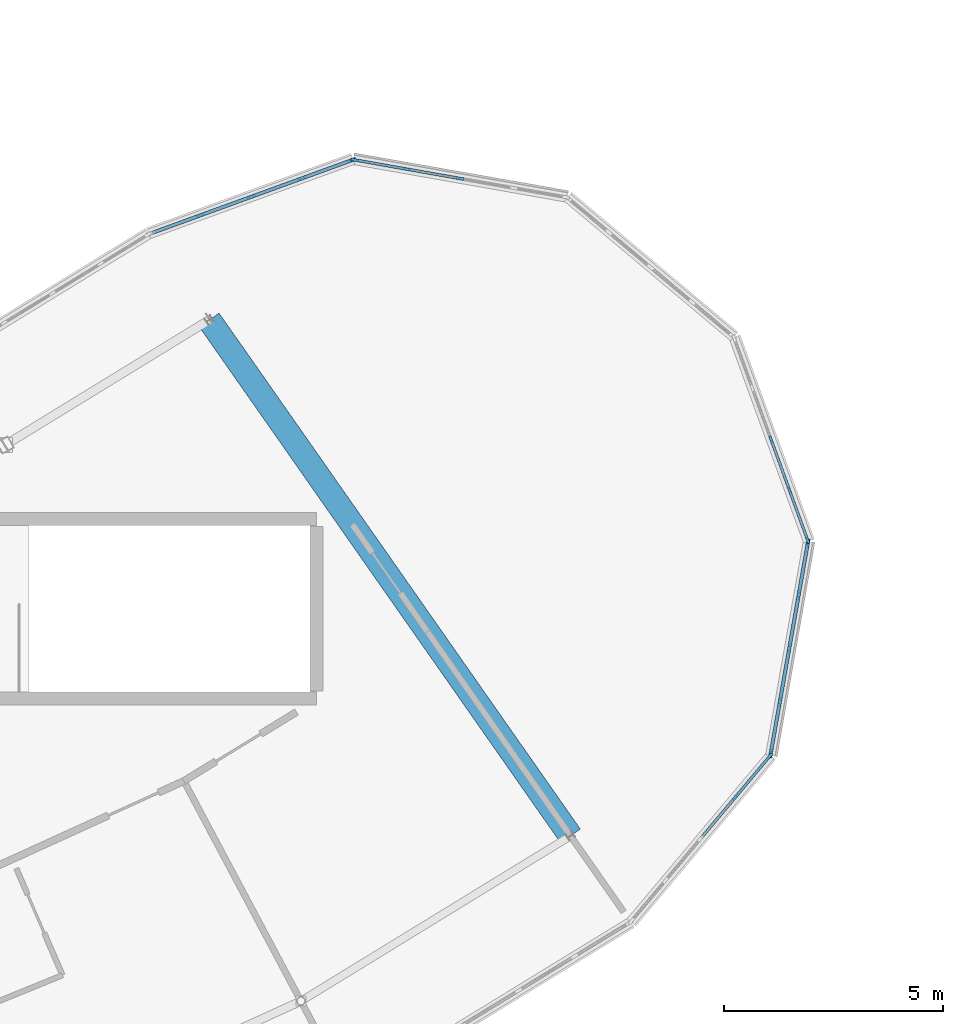
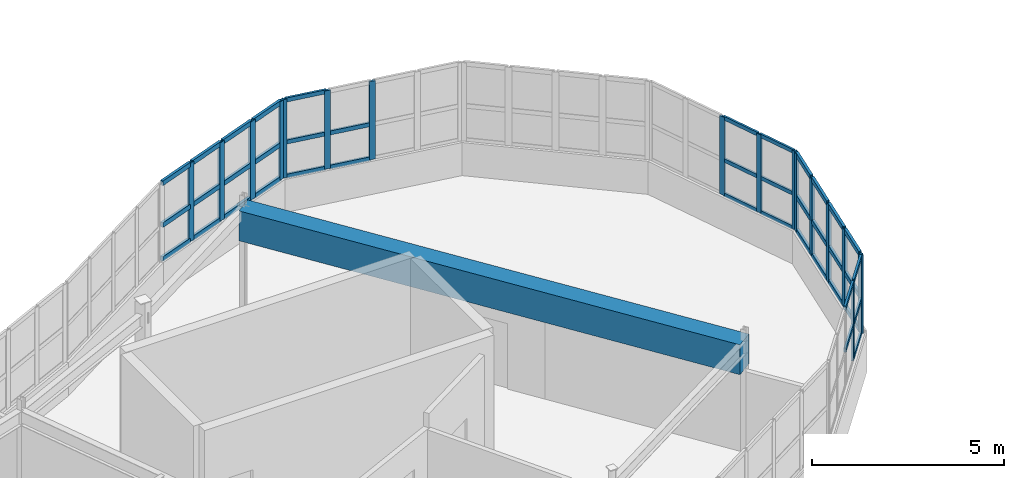
# One storey, part 29 of 79: 57 members, 1 beam, 5 elements without a shape of their own.
"""IFC4 building model written with IfcOpenShell, lengths in metres."""

from ifc_helpers import new_model, si_unit, direction, frame, origin, origin_2d, place, context, subcontext, project, spatial, rectangle, extrude, material, layer, layer_set, material_profile, profile_set, type_object, element, aggregate, save


model = new_model("IFC4")

# Units and contexts
model_context = context("Model", 3, precision=1e-05, world=origin(), true_north=direction((0.0, 1.0)))
body_context = subcontext(model_context, "Body", "Model", "MODEL_VIEW")
ifc_project = project(units=[si_unit("LENGTHUNIT", "METRE"), si_unit("AREAUNIT", "SQUARE_METRE"), si_unit("VOLUMEUNIT", "CUBIC_METRE"), si_unit("PLANEANGLEUNIT", "RADIAN"), si_unit("MASSUNIT", "GRAM", prefix="KILO")], contexts=[model_context])

# Site, building, storey
site_placement = place(None, origin())
site = spatial("IfcSite", under=ifc_project, at=site_placement, CompositionType="ELEMENT")
building_placement = place(site_placement, origin())
building = spatial("IfcBuilding", under=site, at=building_placement, Name="Tarnwether General Hospital", CompositionType="ELEMENT")
storey_placement = place(building_placement, frame((0.0, 0.0, 18.300048828125)))
storey = spatial("IfcBuildingStorey", under=building, at=storey_placement, Name="L04", CompositionType="ELEMENT", Elevation=18.300048828125)

# Beam
ifc_material_1 = material(Name="Concrete 40 MPa", Category="concrete")
ifc_material_profile_1 = material_profile(ifc_material_1, rectangle(XDim=0.550048828125, YDim=0.949951171875, at=origin_2d()), Name="RC-BM-550x950")
ifc_profile_set_1 = profile_set([ifc_material_profile_1], Name="Concrete 40 MPa")
beam_type = type_object("IfcBeamType", Name="BM-G11", PredefinedType="BEAM", material=ifc_profile_set_1)
beam_placement = place(storey_placement, frame((125.9560546875, 14.506103515625, 3.06494140625), z_axis=(-0.573596601347, 0.819137924237, 0.0), x_axis=(-0.819137924237, -0.573596601347, 0.0)))
element("IfcBeam", 1, at=beam_placement, inside=storey, type_object=beam_type, Name="Curved Ward SE Radial Girder BMG-L04-12596_1451-11770_2630-2137", PredefinedType="BEAM", context=body_context, shape_type="SweptSolid", body=[
    extrude(rectangle(XDim=0.550048828125, YDim=0.949951171875, at=origin_2d()), origin(), (0.0, 0.0, 1.0), 14.400390625),
])

# Curtain wall, members
ifc_material_2 = material(Name="Anodised aluminium", Category="aluminium")
ifc_layer = layer(ifc_material_2, 0.159912109375)
ifc_layer_set = layer_set([ifc_layer], Name="Anodised aluminium")
curtain_wall_type = type_object("IfcCurtainWallType", Name="CW-03", PredefinedType="NOTDEFINED", material=ifc_layer_set)
curtain_wall_1_placement = place(storey_placement, origin())
curtain_wall_1 = element("IfcCurtainWall", 2, at=curtain_wall_1_placement, inside=storey, type_object=curtain_wall_type, Name="Curtain Wall CWG-L04-1297_259-0198", PredefinedType="NOTDEFINED")
ifc_material_3 = material(Name="Anodised aluminium", Category="aluminium")
ifc_material_profile_2 = material_profile(ifc_material_3, rectangle(XDim=0.06005859375, YDim=0.159912109375, at=origin_2d()), Name="ALU-MUL-60x160")
ifc_profile_set_2 = profile_set([ifc_material_profile_2], Name="Anodised aluminium")
member_type_1 = type_object("IfcMemberType", Name="CW-ML1", PredefinedType="MULLION", material=ifc_profile_set_2)
member_1_placement = place(storey_placement, frame((130.53955078125, 23.575439453125, 1.050048828125), z_axis=(0.0, 0.0, 1.0), x_axis=(0.939717006582, 0.341953136469, 0.0)))
member_1 = element("IfcMember", 3, at=member_1_placement, type_object=member_type_1, Name="CW-03 mullion 3", PredefinedType="MULLION", context=body_context, shape_type="SweptSolid", body=[
    extrude(rectangle(XDim=0.06005859375, YDim=0.159912109375, at=origin_2d()), origin(), (0.0, 0.0, 1.0), 2.489990234375),
])
member_2_placement = place(storey_placement, frame((130.96435546875, 22.408203125, 1.050048828125), z_axis=(0.0, 0.0, 1.0), x_axis=(0.939717006582, 0.341953136469, 0.0)))
member_2 = element("IfcMember", 4, at=member_2_placement, type_object=member_type_1, Name="CW-03 mullion 4", PredefinedType="MULLION", context=body_context, shape_type="SweptSolid", body=[
    extrude(rectangle(XDim=0.06005859375, YDim=0.159912109375, at=origin_2d()), origin(), (0.0, 0.0, 1.0), 2.489990234375),
])
member_3_placement = place(storey_placement, frame((131.378662109375, 21.269287109375, 1.050048828125), z_axis=(0.0, 0.0, 1.0), x_axis=(0.939717006582, 0.341953136469, 0.0)))
member_3 = element("IfcMember", 5, at=member_3_placement, type_object=member_type_1, Name="CW-03 mullion 5", PredefinedType="MULLION", context=body_context, shape_type="SweptSolid", body=[
    extrude(rectangle(XDim=0.06005859375, YDim=0.159912109375, at=origin_2d()), origin(), (0.0, 0.0, 1.0), 2.489990234375),
])

curtain_wall_2_placement = place(storey_placement, origin())
curtain_wall_2 = element("IfcCurtainWall", 6, at=curtain_wall_2_placement, inside=storey, type_object=curtain_wall_type, Name="Curtain Wall CWG-L04-1305_163-0196", PredefinedType="NOTDEFINED")
ifc_material_4 = material(Name="Anodised aluminium", Category="aluminium")
ifc_material_profile_3 = material_profile(ifc_material_4, rectangle(XDim=0.06494140625, YDim=0.169921875, at=origin_2d()), Name="ALU-MUL-65x170")
ifc_profile_set_3 = profile_set([ifc_material_profile_3], Name="Anodised aluminium")
member_type_2 = type_object("IfcMemberType", Name="CW-ML3", PredefinedType="MULLION", material=ifc_profile_set_3)
member_4_placement = place(storey_placement, frame((130.506103515625, 16.322021484375, 1.050048828125), z_axis=(0.0, 0.0, 1.0), x_axis=(0.765990176896, -0.64285227611, 0.0)))
member_4 = element("IfcMember", 7, at=member_4_placement, type_object=member_type_2, Name="CW-03 mullion 1", PredefinedType="MULLION", context=body_context, shape_type="SweptSolid", body=[
    extrude(rectangle(XDim=0.06494140625, YDim=0.169921875, at=origin_2d()), origin(), (0.0, 0.0, 1.0), 2.489990234375),
])
member_5_placement = place(storey_placement, frame((129.728271484375, 15.395263671875, 1.050048828125), z_axis=(0.0, 0.0, 1.0), x_axis=(0.765990176896, -0.64285227611, 0.0)))
member_5 = element("IfcMember", 8, at=member_5_placement, type_object=member_type_2, Name="CW-03 mullion 2", PredefinedType="MULLION", context=body_context, shape_type="SweptSolid", body=[
    extrude(rectangle(XDim=0.06494140625, YDim=0.169921875, at=origin_2d()), origin(), (0.0, 0.0, 1.0), 2.489990234375),
])

curtain_wall_3_placement = place(storey_placement, origin())
curtain_wall_3 = element("IfcCurtainWall", 9, at=curtain_wall_3_placement, inside=storey, type_object=curtain_wall_type, Name="Curtain Wall CWG-L04-1210_300-0200", PredefinedType="NOTDEFINED")
member_6_placement = place(storey_placement, frame((121.02099609375, 29.96240234375, 1.050048828125), z_axis=(0.0, 0.0, 1.0), x_axis=(0.173659059054, 0.984805834268, 0.0)))
member_6 = element("IfcMember", 10, at=member_6_placement, type_object=member_type_2, Name="CW-03 mullion 1", PredefinedType="MULLION", context=body_context, shape_type="SweptSolid", body=[
    extrude(rectangle(XDim=0.06494140625, YDim=0.169921875, at=origin_2d()), origin(), (0.0, 0.0, 1.0), 2.489990234375),
])
member_7_placement = place(storey_placement, frame((122.21240234375, 29.752197265625, 1.050048828125), z_axis=(0.0, 0.0, 1.0), x_axis=(0.173659059054, 0.984805834268, 0.0)))
member_7 = element("IfcMember", 11, at=member_7_placement, type_object=member_type_2, Name="CW-03 mullion 2", PredefinedType="MULLION", context=body_context, shape_type="SweptSolid", body=[
    extrude(rectangle(XDim=0.06494140625, YDim=0.169921875, at=origin_2d()), origin(), (0.0, 0.0, 1.0), 2.489990234375),
])
member_8_placement = place(storey_placement, frame((123.43603515625, 29.53662109375, 1.050048828125), z_axis=(0.0, 0.0, 1.0), x_axis=(0.173659059054, 0.984805834268, 0.0)))
member_8 = element("IfcMember", 12, at=member_8_placement, type_object=member_type_2, Name="CW-03 mullion 3", PredefinedType="MULLION", context=body_context, shape_type="SweptSolid", body=[
    extrude(rectangle(XDim=0.06494140625, YDim=0.169921875, at=origin_2d()), origin(), (0.0, 0.0, 1.0), 2.489990234375),
])

curtain_wall_4_placement = place(storey_placement, origin())
curtain_wall_4 = element("IfcCurtainWall", 13, at=curtain_wall_4_placement, inside=storey, type_object=curtain_wall_type, Name="Curtain Wall CWG-L04-1314_212-0197", PredefinedType="NOTDEFINED")
ifc_material_5 = material(Name="Anodised aluminium", Category="aluminium")
ifc_material_profile_4 = material_profile(ifc_material_5, rectangle(XDim=0.080078125, YDim=0.199951171875, at=origin_2d()), Name="ALU-MUL-80x200")
ifc_profile_set_4 = profile_set([ifc_material_profile_4], Name="Anodised aluminium")
member_type_3 = type_object("IfcMemberType", Name="CW-ML4", PredefinedType="MULLION", material=ifc_profile_set_4)
member_9_placement = place(storey_placement, frame((131.382080078125, 21.20166015625, 1.050048828125), z_axis=(0.0, 0.0, 1.0), x_axis=(0.984840230098, -0.173463890135, 0.0)))
member_9 = element("IfcMember", 14, at=member_9_placement, type_object=member_type_3, Name="CW-03 mullion 1", PredefinedType="MULLION", context=body_context, shape_type="SweptSolid", body=[
    extrude(rectangle(XDim=0.080078125, YDim=0.199951171875, at=origin_2d()), origin(), (0.0, 0.0, 1.0), 2.489990234375),
])
member_10_placement = place(storey_placement, frame((131.173583984375, 20.017578125, 1.050048828125), z_axis=(0.0, 0.0, 1.0), x_axis=(0.984840230098, -0.173463890135, 0.0)))
member_10 = element("IfcMember", 15, at=member_10_placement, type_object=member_type_3, Name="CW-03 mullion 2", PredefinedType="MULLION", context=body_context, shape_type="SweptSolid", body=[
    extrude(rectangle(XDim=0.080078125, YDim=0.199951171875, at=origin_2d()), origin(), (0.0, 0.0, 1.0), 2.489990234375),
])
member_11_placement = place(storey_placement, frame((130.9580078125, 18.7939453125, 1.050048828125), z_axis=(0.0, 0.0, 1.0), x_axis=(0.984840230098, -0.173463890135, 0.0)))
member_11 = element("IfcMember", 16, at=member_11_placement, type_object=member_type_3, Name="CW-03 mullion 3", PredefinedType="MULLION", context=body_context, shape_type="SweptSolid", body=[
    extrude(rectangle(XDim=0.080078125, YDim=0.199951171875, at=origin_2d()), origin(), (0.0, 0.0, 1.0), 2.489990234375),
])
member_12_placement = place(storey_placement, frame((130.742431640625, 17.570556640625, 1.050048828125), z_axis=(0.0, 0.0, 1.0), x_axis=(0.984840230098, -0.173463890135, 0.0)))
member_12 = element("IfcMember", 17, at=member_12_placement, type_object=member_type_3, Name="CW-03 mullion 4", PredefinedType="MULLION", context=body_context, shape_type="SweptSolid", body=[
    extrude(rectangle(XDim=0.080078125, YDim=0.199951171875, at=origin_2d()), origin(), (0.0, 0.0, 1.0), 2.489990234375),
])
member_13_placement = place(storey_placement, frame((130.533935546875, 16.386474609375, 1.050048828125), z_axis=(0.0, 0.0, 1.0), x_axis=(0.984840230098, -0.173463890135, 0.0)))
member_13 = element("IfcMember", 18, at=member_13_placement, type_object=member_type_3, Name="CW-03 mullion 5", PredefinedType="MULLION", context=body_context, shape_type="SweptSolid", body=[
    extrude(rectangle(XDim=0.080078125, YDim=0.199951171875, at=origin_2d()), origin(), (0.0, 0.0, 1.0), 2.489990234375),
])

curtain_wall_5_placement = place(storey_placement, origin())
curtain_wall_5 = element("IfcCurtainWall", 19, at=curtain_wall_5_placement, inside=storey, type_object=curtain_wall_type, Name="Curtain Wall CWG-L04-1163_283-0201", PredefinedType="NOTDEFINED")
member_14_placement = place(storey_placement, frame((117.4873046875, 28.693115234375, 1.050048828125), z_axis=(0.0, 0.0, 1.0), x_axis=(-0.342130850834, 0.939652319163, 0.0)))
member_14 = element("IfcMember", 20, at=member_14_placement, type_object=member_type_3, Name="CW-03 mullion 2", PredefinedType="MULLION", context=body_context, shape_type="SweptSolid", body=[
    extrude(rectangle(XDim=0.080078125, YDim=0.199951171875, at=origin_2d()), origin(), (0.0, 0.0, 1.0), 2.489990234375),
])
member_15_placement = place(storey_placement, frame((118.654541015625, 29.117919921875, 1.050048828125), z_axis=(0.0, 0.0, 1.0), x_axis=(-0.342130850834, 0.939652319163, 0.0)))
member_15 = element("IfcMember", 21, at=member_15_placement, type_object=member_type_3, Name="CW-03 mullion 3", PredefinedType="MULLION", context=body_context, shape_type="SweptSolid", body=[
    extrude(rectangle(XDim=0.080078125, YDim=0.199951171875, at=origin_2d()), origin(), (0.0, 0.0, 1.0), 2.489990234375),
])
member_16_placement = place(storey_placement, frame((119.82177734375, 29.54296875, 1.050048828125), z_axis=(0.0, 0.0, 1.0), x_axis=(-0.342130850834, 0.939652319163, 0.0)))
member_16 = element("IfcMember", 22, at=member_16_placement, type_object=member_type_3, Name="CW-03 mullion 4", PredefinedType="MULLION", context=body_context, shape_type="SweptSolid", body=[
    extrude(rectangle(XDim=0.080078125, YDim=0.199951171875, at=origin_2d()), origin(), (0.0, 0.0, 1.0), 2.489990234375),
])
member_17_placement = place(storey_placement, frame((120.951416015625, 29.954345703125, 1.050048828125), z_axis=(0.0, 0.0, 1.0), x_axis=(-0.342130850834, 0.939652319163, 0.0)))
member_17 = element("IfcMember", 23, at=member_17_placement, type_object=member_type_3, Name="CW-03 mullion 5", PredefinedType="MULLION", context=body_context, shape_type="SweptSolid", body=[
    extrude(rectangle(XDim=0.080078125, YDim=0.199951171875, at=origin_2d()), origin(), (0.0, 0.0, 1.0), 2.489990234375),
])

# Member
ifc_material_6 = material(Name="Anodised aluminium", Category="aluminium")
ifc_material_profile_5 = material_profile(ifc_material_6, rectangle(XDim=0.06005859375, YDim=0.1201171875, at=origin_2d()), Name="ALU-TRN-60x120")
ifc_profile_set_5 = profile_set([ifc_material_profile_5], Name="Anodised aluminium")
member_type_4 = type_object("IfcMemberType", Name="CW-TR1", PredefinedType="USERDEFINED", material=ifc_profile_set_5)
member_18_placement = place(storey_placement, frame((130.5498046875, 23.54736328125, 1.079833984375), z_axis=(0.342008368559, -0.939696906367, 0.0), x_axis=(0.939696906367, 0.342008368559, 0.0)))
member_18 = element("IfcMember", 24, at=member_18_placement, type_object=member_type_4, Name="CW-03 transom 3.1", ObjectType="TRANSOM", PredefinedType="USERDEFINED", context=body_context, shape_type="SweptSolid", body=[
    extrude(rectangle(XDim=0.06005859375, YDim=0.1201171875, at=origin_2d()), origin(), (0.0, 0.0, 1.0), 1.18212890625),
])

member_19_placement = place(storey_placement, frame((130.5498046875, 23.54736328125, 2.17041015625), z_axis=(0.342008368559, -0.939696906367, 0.0), x_axis=(0.939696906367, 0.342008368559, 0.0)))
member_19 = element("IfcMember", 25, at=member_19_placement, type_object=member_type_4, Name="CW-03 transom 3.2", ObjectType="TRANSOM", PredefinedType="USERDEFINED", context=body_context, shape_type="SweptSolid", body=[
    extrude(rectangle(XDim=0.06005859375, YDim=0.1201171875, at=origin_2d()), origin(), (0.0, 0.0, 1.0), 1.18212890625),
])

member_20_placement = place(storey_placement, frame((130.5498046875, 23.54736328125, 3.510009765625), z_axis=(0.342008368559, -0.939696906367, 0.0), x_axis=(0.939696906367, 0.342008368559, 0.0)))
member_20 = element("IfcMember", 26, at=member_20_placement, type_object=member_type_4, Name="CW-03 transom 3.3", ObjectType="TRANSOM", PredefinedType="USERDEFINED", context=body_context, shape_type="SweptSolid", body=[
    extrude(rectangle(XDim=0.06005859375, YDim=0.1201171875, at=origin_2d()), origin(), (0.0, 0.0, 1.0), 1.18212890625),
])

member_21_placement = place(storey_placement, frame((130.974609375, 22.380126953125, 1.079833984375), z_axis=(0.3417941041, -0.939774861551, 0.0), x_axis=(0.939774861551, 0.3417941041, 0.0)))
member_21 = element("IfcMember", 27, at=member_21_placement, type_object=member_type_4, Name="CW-03 transom 4.1", ObjectType="TRANSOM", PredefinedType="USERDEFINED", context=body_context, shape_type="SweptSolid", body=[
    extrude(rectangle(XDim=0.06005859375, YDim=0.1201171875, at=origin_2d()), origin(), (0.0, 0.0, 1.0), 1.152099609375),
])

member_22_placement = place(storey_placement, frame((130.974609375, 22.380126953125, 2.17041015625), z_axis=(0.3417941041, -0.939774861551, 0.0), x_axis=(0.939774861551, 0.3417941041, 0.0)))
member_22 = element("IfcMember", 28, at=member_22_placement, type_object=member_type_4, Name="CW-03 transom 4.2", ObjectType="TRANSOM", PredefinedType="USERDEFINED", context=body_context, shape_type="SweptSolid", body=[
    extrude(rectangle(XDim=0.06005859375, YDim=0.1201171875, at=origin_2d()), origin(), (0.0, 0.0, 1.0), 1.152099609375),
])

member_23_placement = place(storey_placement, frame((130.974609375, 22.380126953125, 3.510009765625), z_axis=(0.3417941041, -0.939774861551, 0.0), x_axis=(0.939774861551, 0.3417941041, 0.0)))
member_23 = element("IfcMember", 29, at=member_23_placement, type_object=member_type_4, Name="CW-03 transom 4.3", ObjectType="TRANSOM", PredefinedType="USERDEFINED", context=body_context, shape_type="SweptSolid", body=[
    extrude(rectangle(XDim=0.06005859375, YDim=0.1201171875, at=origin_2d()), origin(), (0.0, 0.0, 1.0), 1.152099609375),
])

aggregate(curtain_wall_1, [member_1, member_2, member_3, member_18, member_19, member_20, member_21, member_22, member_23])

ifc_material_7 = material(Name="Anodised aluminium", Category="aluminium")
ifc_material_profile_6 = material_profile(ifc_material_7, rectangle(XDim=0.06494140625, YDim=0.1298828125, at=origin_2d()), Name="ALU-TRN-65x130")
ifc_profile_set_6 = profile_set([ifc_material_profile_6], Name="Anodised aluminium")
member_type_5 = type_object("IfcMemberType", Name="CW-TR3", PredefinedType="USERDEFINED", material=ifc_profile_set_6)
member_24_placement = place(storey_placement, frame((130.485107421875, 16.297119140625, 1.08251953125), z_axis=(-0.64290699353, -0.765944252325, 0.0), x_axis=(0.765944252325, -0.64290699353, 0.0)))
member_24 = element("IfcMember", 30, at=member_24_placement, type_object=member_type_5, Name="CW-03 transom 1.1", ObjectType="TRANSOM", PredefinedType="USERDEFINED", context=body_context, shape_type="SweptSolid", body=[
    extrude(rectangle(XDim=0.06494140625, YDim=0.1298828125, at=origin_2d()), origin(), (0.0, 0.0, 1.0), 1.14501953125),
])

member_25_placement = place(storey_placement, frame((130.485107421875, 16.297119140625, 2.17041015625), z_axis=(-0.64290699353, -0.765944252325, 0.0), x_axis=(0.765944252325, -0.64290699353, 0.0)))
member_25 = element("IfcMember", 31, at=member_25_placement, type_object=member_type_5, Name="CW-03 transom 1.2", ObjectType="TRANSOM", PredefinedType="USERDEFINED", context=body_context, shape_type="SweptSolid", body=[
    extrude(rectangle(XDim=0.06494140625, YDim=0.1298828125, at=origin_2d()), origin(), (0.0, 0.0, 1.0), 1.14501953125),
])

member_26_placement = place(storey_placement, frame((130.485107421875, 16.297119140625, 3.507568359375), z_axis=(-0.64290699353, -0.765944252325, 0.0), x_axis=(0.765944252325, -0.64290699353, 0.0)))
member_26 = element("IfcMember", 32, at=member_26_placement, type_object=member_type_5, Name="CW-03 transom 1.3", ObjectType="TRANSOM", PredefinedType="USERDEFINED", context=body_context, shape_type="SweptSolid", body=[
    extrude(rectangle(XDim=0.06494140625, YDim=0.1298828125, at=origin_2d()), origin(), (0.0, 0.0, 1.0), 1.14501953125),
])

member_27_placement = place(storey_placement, frame((129.707275390625, 15.370361328125, 2.17041015625), z_axis=(-0.642832141434, -0.766007074341, 0.0), x_axis=(0.766007074341, -0.642832141434, 0.0)))
member_27 = element("IfcMember", 33, at=member_27_placement, type_object=member_type_5, Name="CW-03 transom 2.2", ObjectType="TRANSOM", PredefinedType="USERDEFINED", context=body_context, shape_type="SweptSolid", body=[
    extrude(rectangle(XDim=0.06494140625, YDim=0.1298828125, at=origin_2d()), origin(), (0.0, 0.0, 1.0), 1.17724609375),
])

member_28_placement = place(storey_placement, frame((129.707275390625, 15.370361328125, 3.507568359375), z_axis=(-0.642832141434, -0.766007074341, 0.0), x_axis=(0.766007074341, -0.642832141434, 0.0)))
member_28 = element("IfcMember", 34, at=member_28_placement, type_object=member_type_5, Name="CW-03 transom 2.3", ObjectType="TRANSOM", PredefinedType="USERDEFINED", context=body_context, shape_type="SweptSolid", body=[
    extrude(rectangle(XDim=0.06494140625, YDim=0.1298828125, at=origin_2d()), origin(), (0.0, 0.0, 1.0), 1.17724609375),
])

aggregate(curtain_wall_2, [member_4, member_5, member_24, member_25, member_26, member_27, member_28])

member_29_placement = place(storey_placement, frame((121.052978515625, 29.956787109375, 1.08251953125), z_axis=(0.984781411946, -0.173797499077, 0.0), x_axis=(0.173797499077, 0.984781411946, 0.0)))
member_29 = element("IfcMember", 35, at=member_29_placement, type_object=member_type_5, Name="CW-03 transom 1.1", ObjectType="TRANSOM", PredefinedType="USERDEFINED", context=body_context, shape_type="SweptSolid", body=[
    extrude(rectangle(XDim=0.06494140625, YDim=0.1298828125, at=origin_2d()), origin(), (0.0, 0.0, 1.0), 1.144775390625),
])

member_30_placement = place(storey_placement, frame((121.052978515625, 29.956787109375, 2.17041015625), z_axis=(0.984781411946, -0.173797499077, 0.0), x_axis=(0.173797499077, 0.984781411946, 0.0)))
member_30 = element("IfcMember", 36, at=member_30_placement, type_object=member_type_5, Name="CW-03 transom 1.2", ObjectType="TRANSOM", PredefinedType="USERDEFINED", context=body_context, shape_type="SweptSolid", body=[
    extrude(rectangle(XDim=0.06494140625, YDim=0.1298828125, at=origin_2d()), origin(), (0.0, 0.0, 1.0), 1.144775390625),
])

member_31_placement = place(storey_placement, frame((121.052978515625, 29.956787109375, 3.507568359375), z_axis=(0.984781411946, -0.173797499077, 0.0), x_axis=(0.173797499077, 0.984781411946, 0.0)))
member_31 = element("IfcMember", 37, at=member_31_placement, type_object=member_type_5, Name="CW-03 transom 1.3", ObjectType="TRANSOM", PredefinedType="USERDEFINED", context=body_context, shape_type="SweptSolid", body=[
    extrude(rectangle(XDim=0.06494140625, YDim=0.1298828125, at=origin_2d()), origin(), (0.0, 0.0, 1.0), 1.144775390625),
])

member_32_placement = place(storey_placement, frame((122.244384765625, 29.74658203125, 1.08251953125), z_axis=(0.984827359444, -0.173536947338, 0.0), x_axis=(0.173536947338, 0.984827359444, 0.0)))
member_32 = element("IfcMember", 38, at=member_32_placement, type_object=member_type_5, Name="CW-03 transom 2.1", ObjectType="TRANSOM", PredefinedType="USERDEFINED", context=body_context, shape_type="SweptSolid", body=[
    extrude(rectangle(XDim=0.06494140625, YDim=0.1298828125, at=origin_2d()), origin(), (0.0, 0.0, 1.0), 1.177490234375),
])

member_33_placement = place(storey_placement, frame((122.244384765625, 29.74658203125, 2.17041015625), z_axis=(0.984827359444, -0.173536947338, 0.0), x_axis=(0.173536947338, 0.984827359444, 0.0)))
member_33 = element("IfcMember", 39, at=member_33_placement, type_object=member_type_5, Name="CW-03 transom 2.2", ObjectType="TRANSOM", PredefinedType="USERDEFINED", context=body_context, shape_type="SweptSolid", body=[
    extrude(rectangle(XDim=0.06494140625, YDim=0.1298828125, at=origin_2d()), origin(), (0.0, 0.0, 1.0), 1.177490234375),
])

aggregate(curtain_wall_3, [member_6, member_7, member_8, member_29, member_30, member_31, member_32, member_33])

ifc_material_8 = material(Name="Anodised aluminium", Category="aluminium")
ifc_material_profile_7 = material_profile(ifc_material_8, rectangle(XDim=0.080078125, YDim=0.14990234375, at=origin_2d()), Name="ALU-TRN-80x150")
ifc_profile_set_7 = profile_set([ifc_material_profile_7], Name="Anodised aluminium")
member_type_6 = type_object("IfcMemberType", Name="CW-TR4", PredefinedType="USERDEFINED", material=ifc_profile_set_7)
member_34_placement = place(storey_placement, frame((131.375244140625, 21.162109375, 1.08984375), z_axis=(-0.173599178383, -0.984816391651, 0.0), x_axis=(0.984816391651, -0.173599178383, 0.0)))
member_34 = element("IfcMember", 40, at=member_34_placement, type_object=member_type_6, Name="CW-03 transom 1.1", ObjectType="TRANSOM", PredefinedType="USERDEFINED", context=body_context, shape_type="SweptSolid", body=[
    extrude(rectangle(XDim=0.080078125, YDim=0.14990234375, at=origin_2d()), origin(), (0.0, 0.0, 1.0), 1.122314453125),
])

member_35_placement = place(storey_placement, frame((131.375244140625, 21.162109375, 2.17041015625), z_axis=(-0.173599178383, -0.984816391651, 0.0), x_axis=(0.984816391651, -0.173599178383, 0.0)))
member_35 = element("IfcMember", 41, at=member_35_placement, type_object=member_type_6, Name="CW-03 transom 1.2", ObjectType="TRANSOM", PredefinedType="USERDEFINED", context=body_context, shape_type="SweptSolid", body=[
    extrude(rectangle(XDim=0.080078125, YDim=0.14990234375, at=origin_2d()), origin(), (0.0, 0.0, 1.0), 1.122314453125),
])

member_36_placement = place(storey_placement, frame((131.375244140625, 21.162109375, 3.5), z_axis=(-0.173599178383, -0.984816391651, 0.0), x_axis=(0.984816391651, -0.173599178383, 0.0)))
member_36 = element("IfcMember", 42, at=member_36_placement, type_object=member_type_6, Name="CW-03 transom 1.3", ObjectType="TRANSOM", PredefinedType="USERDEFINED", context=body_context, shape_type="SweptSolid", body=[
    extrude(rectangle(XDim=0.080078125, YDim=0.14990234375, at=origin_2d()), origin(), (0.0, 0.0, 1.0), 1.122314453125),
])

member_37_placement = place(storey_placement, frame((131.16650390625, 19.97802734375, 1.08984375), z_axis=(-0.173521676921, -0.98483005013, 0.0), x_axis=(0.98483005013, -0.173521676921, 0.0)))
member_37 = element("IfcMember", 43, at=member_37_placement, type_object=member_type_6, Name="CW-03 transom 2.1", ObjectType="TRANSOM", PredefinedType="USERDEFINED", context=body_context, shape_type="SweptSolid", body=[
    extrude(rectangle(XDim=0.080078125, YDim=0.14990234375, at=origin_2d()), origin(), (0.0, 0.0, 1.0), 1.162109375),
])

member_38_placement = place(storey_placement, frame((131.16650390625, 19.97802734375, 2.17041015625), z_axis=(-0.173521676921, -0.98483005013, 0.0), x_axis=(0.98483005013, -0.173521676921, 0.0)))
member_38 = element("IfcMember", 44, at=member_38_placement, type_object=member_type_6, Name="CW-03 transom 2.2", ObjectType="TRANSOM", PredefinedType="USERDEFINED", context=body_context, shape_type="SweptSolid", body=[
    extrude(rectangle(XDim=0.080078125, YDim=0.14990234375, at=origin_2d()), origin(), (0.0, 0.0, 1.0), 1.162109375),
])

member_39_placement = place(storey_placement, frame((131.16650390625, 19.97802734375, 3.5), z_axis=(-0.173521676921, -0.98483005013, 0.0), x_axis=(0.98483005013, -0.173521676921, 0.0)))
member_39 = element("IfcMember", 45, at=member_39_placement, type_object=member_type_6, Name="CW-03 transom 2.3", ObjectType="TRANSOM", PredefinedType="USERDEFINED", context=body_context, shape_type="SweptSolid", body=[
    extrude(rectangle(XDim=0.080078125, YDim=0.14990234375, at=origin_2d()), origin(), (0.0, 0.0, 1.0), 1.162109375),
])

member_40_placement = place(storey_placement, frame((130.951171875, 18.754638671875, 1.08984375), z_axis=(-0.173485784706, -0.984836373468, 0.0), x_axis=(0.984836373468, -0.173485784706, 0.0)))
member_40 = element("IfcMember", 46, at=member_40_placement, type_object=member_type_6, Name="CW-03 transom 3.1", ObjectType="TRANSOM", PredefinedType="USERDEFINED", context=body_context, shape_type="SweptSolid", body=[
    extrude(rectangle(XDim=0.080078125, YDim=0.14990234375, at=origin_2d()), origin(), (0.0, 0.0, 1.0), 1.162353515625),
])

member_41_placement = place(storey_placement, frame((130.951171875, 18.754638671875, 2.17041015625), z_axis=(-0.173485784706, -0.984836373468, 0.0), x_axis=(0.984836373468, -0.173485784706, 0.0)))
member_41 = element("IfcMember", 47, at=member_41_placement, type_object=member_type_6, Name="CW-03 transom 3.2", ObjectType="TRANSOM", PredefinedType="USERDEFINED", context=body_context, shape_type="SweptSolid", body=[
    extrude(rectangle(XDim=0.080078125, YDim=0.14990234375, at=origin_2d()), origin(), (0.0, 0.0, 1.0), 1.162353515625),
])

member_42_placement = place(storey_placement, frame((130.951171875, 18.754638671875, 3.5), z_axis=(-0.173485784706, -0.984836373468, 0.0), x_axis=(0.984836373468, -0.173485784706, 0.0)))
member_42 = element("IfcMember", 48, at=member_42_placement, type_object=member_type_6, Name="CW-03 transom 3.3", ObjectType="TRANSOM", PredefinedType="USERDEFINED", context=body_context, shape_type="SweptSolid", body=[
    extrude(rectangle(XDim=0.080078125, YDim=0.14990234375, at=origin_2d()), origin(), (0.0, 0.0, 1.0), 1.162353515625),
])

member_43_placement = place(storey_placement, frame((130.735595703125, 17.531005859375, 1.08984375), z_axis=(-0.173599178383, -0.984816391651, 0.0), x_axis=(0.984816391651, -0.173599178383, 0.0)))
member_43 = element("IfcMember", 49, at=member_43_placement, type_object=member_type_6, Name="CW-03 transom 4.1", ObjectType="TRANSOM", PredefinedType="USERDEFINED", context=body_context, shape_type="SweptSolid", body=[
    extrude(rectangle(XDim=0.080078125, YDim=0.14990234375, at=origin_2d()), origin(), (0.0, 0.0, 1.0), 1.122314453125),
])

member_44_placement = place(storey_placement, frame((130.735595703125, 17.531005859375, 2.17041015625), z_axis=(-0.173599178383, -0.984816391651, 0.0), x_axis=(0.984816391651, -0.173599178383, 0.0)))
member_44 = element("IfcMember", 50, at=member_44_placement, type_object=member_type_6, Name="CW-03 transom 4.2", ObjectType="TRANSOM", PredefinedType="USERDEFINED", context=body_context, shape_type="SweptSolid", body=[
    extrude(rectangle(XDim=0.080078125, YDim=0.14990234375, at=origin_2d()), origin(), (0.0, 0.0, 1.0), 1.122314453125),
])

member_45_placement = place(storey_placement, frame((130.735595703125, 17.531005859375, 3.5), z_axis=(-0.173599178383, -0.984816391651, 0.0), x_axis=(0.984816391651, -0.173599178383, 0.0)))
member_45 = element("IfcMember", 51, at=member_45_placement, type_object=member_type_6, Name="CW-03 transom 4.3", ObjectType="TRANSOM", PredefinedType="USERDEFINED", context=body_context, shape_type="SweptSolid", body=[
    extrude(rectangle(XDim=0.080078125, YDim=0.14990234375, at=origin_2d()), origin(), (0.0, 0.0, 1.0), 1.122314453125),
])

aggregate(curtain_wall_4, [member_9, member_10, member_11, member_12, member_13, member_34, member_35, member_36, member_37, member_38, member_39, member_40, member_41, member_42, member_43, member_44, member_45])

member_46_placement = place(storey_placement, frame((116.395263671875, 28.29541015625, 1.08984375), z_axis=(0.939691742636, 0.342022556014, 0.0), x_axis=(-0.342022556014, 0.939691742636, 0.0)))
member_46 = element("IfcMember", 52, at=member_46_placement, type_object=member_type_6, Name="CW-03 transom 1.1", ObjectType="TRANSOM", PredefinedType="USERDEFINED", context=body_context, shape_type="SweptSolid", body=[
    extrude(rectangle(XDim=0.080078125, YDim=0.14990234375, at=origin_2d()), origin(), (0.0, 0.0, 1.0), 1.1220703125),
])

member_47_placement = place(storey_placement, frame((116.395263671875, 28.29541015625, 2.17041015625), z_axis=(0.939691742636, 0.342022556014, 0.0), x_axis=(-0.342022556014, 0.939691742636, 0.0)))
member_47 = element("IfcMember", 53, at=member_47_placement, type_object=member_type_6, Name="CW-03 transom 1.2", ObjectType="TRANSOM", PredefinedType="USERDEFINED", context=body_context, shape_type="SweptSolid", body=[
    extrude(rectangle(XDim=0.080078125, YDim=0.14990234375, at=origin_2d()), origin(), (0.0, 0.0, 1.0), 1.1220703125),
])

member_48_placement = place(storey_placement, frame((116.395263671875, 28.29541015625, 3.5), z_axis=(0.939691742636, 0.342022556014, 0.0), x_axis=(-0.342022556014, 0.939691742636, 0.0)))
member_48 = element("IfcMember", 54, at=member_48_placement, type_object=member_type_6, Name="CW-03 transom 1.3", ObjectType="TRANSOM", PredefinedType="USERDEFINED", context=body_context, shape_type="SweptSolid", body=[
    extrude(rectangle(XDim=0.080078125, YDim=0.14990234375, at=origin_2d()), origin(), (0.0, 0.0, 1.0), 1.1220703125),
])

member_49_placement = place(storey_placement, frame((117.52490234375, 28.706787109375, 1.08984375), z_axis=(0.939695244401, 0.342012934917, 0.0), x_axis=(-0.342012934917, 0.939695244401, 0.0)))
member_49 = element("IfcMember", 55, at=member_49_placement, type_object=member_type_6, Name="CW-03 transom 2.1", ObjectType="TRANSOM", PredefinedType="USERDEFINED", context=body_context, shape_type="SweptSolid", body=[
    extrude(rectangle(XDim=0.080078125, YDim=0.14990234375, at=origin_2d()), origin(), (0.0, 0.0, 1.0), 1.162109375),
])

member_50_placement = place(storey_placement, frame((117.52490234375, 28.706787109375, 2.17041015625), z_axis=(0.939695244401, 0.342012934917, 0.0), x_axis=(-0.342012934917, 0.939695244401, 0.0)))
member_50 = element("IfcMember", 56, at=member_50_placement, type_object=member_type_6, Name="CW-03 transom 2.2", ObjectType="TRANSOM", PredefinedType="USERDEFINED", context=body_context, shape_type="SweptSolid", body=[
    extrude(rectangle(XDim=0.080078125, YDim=0.14990234375, at=origin_2d()), origin(), (0.0, 0.0, 1.0), 1.162109375),
])

member_51_placement = place(storey_placement, frame((117.52490234375, 28.706787109375, 3.5), z_axis=(0.939695244401, 0.342012934917, 0.0), x_axis=(-0.342012934917, 0.939695244401, 0.0)))
member_51 = element("IfcMember", 57, at=member_51_placement, type_object=member_type_6, Name="CW-03 transom 2.3", ObjectType="TRANSOM", PredefinedType="USERDEFINED", context=body_context, shape_type="SweptSolid", body=[
    extrude(rectangle(XDim=0.080078125, YDim=0.14990234375, at=origin_2d()), origin(), (0.0, 0.0, 1.0), 1.162109375),
])

member_52_placement = place(storey_placement, frame((118.692138671875, 29.131591796875, 1.08984375), z_axis=(0.939627713237, 0.342198422728, 0.0), x_axis=(-0.342198422728, 0.939627713237, 0.0)))
member_52 = element("IfcMember", 58, at=member_52_placement, type_object=member_type_6, Name="CW-03 transom 3.1", ObjectType="TRANSOM", PredefinedType="USERDEFINED", context=body_context, shape_type="SweptSolid", body=[
    extrude(rectangle(XDim=0.080078125, YDim=0.14990234375, at=origin_2d()), origin(), (0.0, 0.0, 1.0), 1.162109375),
])

member_53_placement = place(storey_placement, frame((118.692138671875, 29.131591796875, 2.17041015625), z_axis=(0.939627713237, 0.342198422728, 0.0), x_axis=(-0.342198422728, 0.939627713237, 0.0)))
member_53 = element("IfcMember", 59, at=member_53_placement, type_object=member_type_6, Name="CW-03 transom 3.2", ObjectType="TRANSOM", PredefinedType="USERDEFINED", context=body_context, shape_type="SweptSolid", body=[
    extrude(rectangle(XDim=0.080078125, YDim=0.14990234375, at=origin_2d()), origin(), (0.0, 0.0, 1.0), 1.162109375),
])

member_54_placement = place(storey_placement, frame((118.692138671875, 29.131591796875, 3.5), z_axis=(0.939627713237, 0.342198422728, 0.0), x_axis=(-0.342198422728, 0.939627713237, 0.0)))
member_54 = element("IfcMember", 60, at=member_54_placement, type_object=member_type_6, Name="CW-03 transom 3.3", ObjectType="TRANSOM", PredefinedType="USERDEFINED", context=body_context, shape_type="SweptSolid", body=[
    extrude(rectangle(XDim=0.080078125, YDim=0.14990234375, at=origin_2d()), origin(), (0.0, 0.0, 1.0), 1.162109375),
])

member_55_placement = place(storey_placement, frame((119.859375, 29.556640625, 1.08984375), z_axis=(0.939621801611, 0.342214654766, 0.0), x_axis=(-0.342214654766, 0.939621801611, 0.0)))
member_55 = element("IfcMember", 61, at=member_55_placement, type_object=member_type_6, Name="CW-03 transom 4.1", ObjectType="TRANSOM", PredefinedType="USERDEFINED", context=body_context, shape_type="SweptSolid", body=[
    extrude(rectangle(XDim=0.080078125, YDim=0.14990234375, at=origin_2d()), origin(), (0.0, 0.0, 1.0), 1.122314453125),
])

member_56_placement = place(storey_placement, frame((119.859375, 29.556640625, 2.17041015625), z_axis=(0.939621801611, 0.342214654766, 0.0), x_axis=(-0.342214654766, 0.939621801611, 0.0)))
member_56 = element("IfcMember", 62, at=member_56_placement, type_object=member_type_6, Name="CW-03 transom 4.2", ObjectType="TRANSOM", PredefinedType="USERDEFINED", context=body_context, shape_type="SweptSolid", body=[
    extrude(rectangle(XDim=0.080078125, YDim=0.14990234375, at=origin_2d()), origin(), (0.0, 0.0, 1.0), 1.122314453125),
])

member_57_placement = place(storey_placement, frame((119.859375, 29.556640625, 3.5), z_axis=(0.939621801611, 0.342214654766, 0.0), x_axis=(-0.342214654766, 0.939621801611, 0.0)))
member_57 = element("IfcMember", 63, at=member_57_placement, type_object=member_type_6, Name="CW-03 transom 4.3", ObjectType="TRANSOM", PredefinedType="USERDEFINED", context=body_context, shape_type="SweptSolid", body=[
    extrude(rectangle(XDim=0.080078125, YDim=0.14990234375, at=origin_2d()), origin(), (0.0, 0.0, 1.0), 1.122314453125),
])

aggregate(curtain_wall_5, [member_14, member_15, member_16, member_17, member_46, member_47, member_48, member_49, member_50, member_51, member_52, member_53, member_54, member_55, member_56, member_57])

save(model, "model.ifc")
